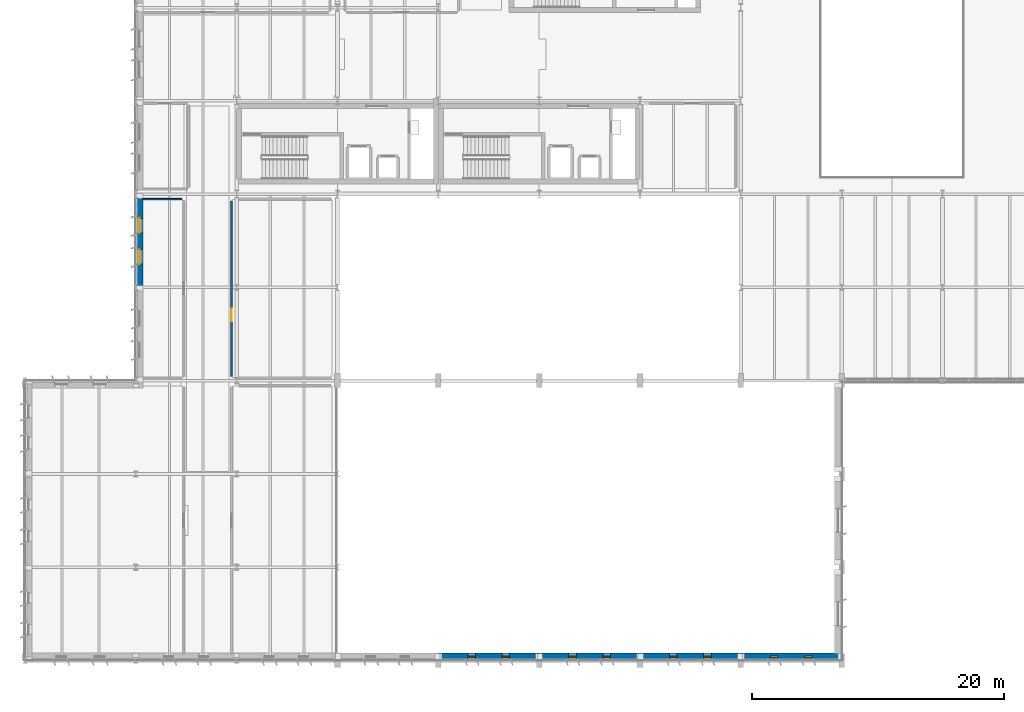
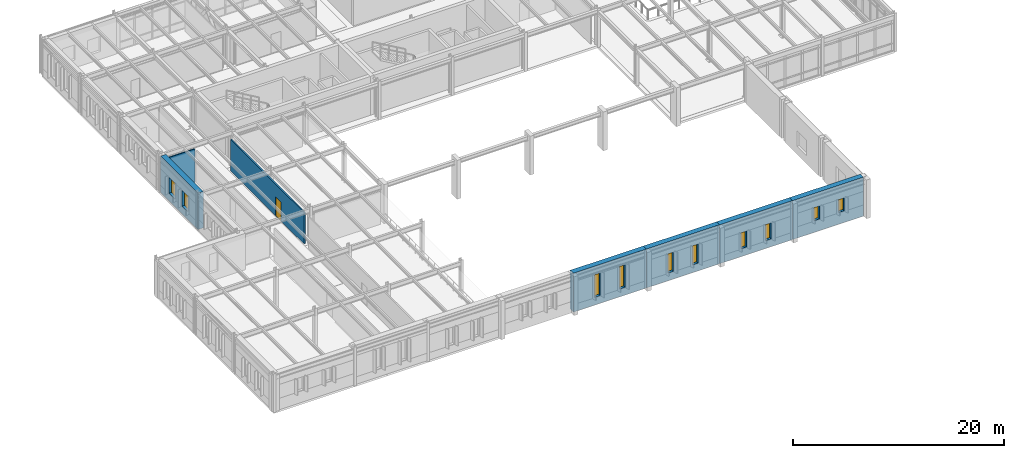
# One storey, part 41 of 75: 10 windows, 7 walls, 1 door, 11 openings.
"""IFC4 building model written with IfcOpenShell, lengths in metres."""

from ifc_helpers import new_model, si_unit, direction, frame, frame_2d, origin, place, context, subcontext, project, spatial, rectangle, extrude, material, layer, layer_set, type_object, element, fill, save


model = new_model("IFC4")

# Units and contexts
model_context = context("Model", 3, precision=1e-05, world=origin(), true_north=direction((0.0, 1.0)))
body_context = subcontext(model_context, "Body", "Model", "MODEL_VIEW")
ifc_project = project(units=[si_unit("LENGTHUNIT", "METRE"), si_unit("AREAUNIT", "SQUARE_METRE"), si_unit("VOLUMEUNIT", "CUBIC_METRE"), si_unit("PLANEANGLEUNIT", "RADIAN"), si_unit("MASSUNIT", "GRAM", prefix="KILO")], contexts=[model_context])

# Site, building, storey
site_placement = place(None, origin())
site = spatial("IfcSite", under=ifc_project, at=site_placement, CompositionType="ELEMENT")
building_placement = place(site_placement, origin())
building = spatial("IfcBuilding", under=site, at=building_placement, Name="Valkorina Park Police Headquarters", CompositionType="ELEMENT")
storey_placement = place(building_placement, frame((0.0, 0.0, 5.39990234375)))
storey = spatial("IfcBuildingStorey", under=building, at=storey_placement, Name="L02", CompositionType="ELEMENT", Elevation=5.39990234375)

# Wall, opening, door
ifc_material_1 = material(Name="Acoustic mineral board")
ifc_layer_1 = layer(ifc_material_1, 0.14990234375)
ifc_layer_set_1 = layer_set([ifc_layer_1], Name="Acoustic mineral board")
wall_type_1 = type_object("IfcWallType", Name="WL-ACOUST-150-EI30", PredefinedType="PARTITIONING", material=ifc_layer_set_1)
wall_1_placement = place(storey_placement, frame((16.39990234375, 22.5400390625, 0.0), z_axis=(0.0, 0.0, 1.0), x_axis=(0.0, 1.0, 0.0)))
wall_1 = element("IfcWall", 1, at=wall_1_placement, inside=storey, type_object=wall_type_1, Name="L02 Interior Partition 0118 (L02-PUB-04)", PredefinedType="PARTITIONING", context=body_context, shape_type="SweptSolid", body=[
    extrude(rectangle(XDim=13.919921875, YDim=0.14990234375, at=frame_2d((6.9599609375, 0.0))), origin(), (0.0, 0.0, 1.0), 3.650146484375),
])
opening_1_placement = place(wall_1_placement, frame((4.3720703125, 0.0, 0.0)))
opening_1 = element("IfcOpeningElement", 2, at=opening_1_placement, cuts=wall_1, Name="Opening ID-04", PredefinedType="OPENING", context=body_context, shape_type="SweptSolid", body=[
    extrude(rectangle(XDim=1.0, YDim=2.199951171875, at=frame_2d((0.5, 1.10009765625))), frame((0.0, 0.0849609375, 0.0), z_axis=(0.0, -1.0, 0.0), x_axis=(1.0, 0.0, 0.0)), (0.0, 0.0, 1.0), 0.169921875),
])
ifc_material_2 = material(Name="Thermally broken aluminium AW-6060", Category="aluminium")
ifc_layer_2 = layer(ifc_material_2, 0.050048828125)
ifc_layer_set_2 = layer_set([ifc_layer_2], Name="Thermally broken aluminium AW-6060")
door_type = type_object("IfcDoorType", Name="DR-INT-OFF-1000x2200", OperationType="NOTDEFINED", PredefinedType="DOOR", material=ifc_layer_set_2)
door_placement = place(opening_1_placement, origin())
door = element("IfcDoor", 3, at=door_placement, inside=storey, type_object=door_type, Name="Door D-L02-I054 (L02-PUB-04)", OperationType="SINGLE_SWING_LEFT", OverallHeight=2.199951171875, OverallWidth=1.0, PredefinedType="DOOR", context=body_context, shape_type="SweptSolid", body=[
    extrude(rectangle(XDim=1.0, YDim=2.199951171875, at=frame_2d((0.5, 1.10009765625))), frame((0.0, 0.02490234375, 0.0), z_axis=(0.0, -1.0, 0.0), x_axis=(1.0, 0.0, 0.0)), (0.0, 0.0, 1.0), 0.050048828125),
])
fill(opening_1, door)

# Wall, openings, windows
ifc_material_3 = material(Name="Concrete C35/45", Category="concrete")
ifc_layer_3 = layer(ifc_material_3, 0.580078125)
ifc_layer_set_3 = layer_set([ifc_layer_3], Name="Concrete C35/45")
wall_type_2 = type_object("IfcWallType", Name="WL-EXT-BOARD-580", PredefinedType="STANDARD", material=ifc_layer_set_3)
wall_2_placement = place(storey_placement, frame((64.56494140625, 0.2900390625, 0.0), z_axis=(0.0, 0.0, 1.0), x_axis=(-1.0, 0.0, 0.0)))
wall_2 = element("IfcWall", 4, at=wall_2_placement, inside=storey, type_object=wall_type_2, Name="L02 Architectural Concrete Exterior Wall 0095", PredefinedType="STANDARD", context=body_context, shape_type="SweptSolid", body=[
    extrude(rectangle(XDim=7.764892578125, YDim=0.580078125, at=frame_2d((3.88232421875, 0.0))), origin(), (0.0, 0.0, 1.0), 4.5),
])
opening_2_placement = place(wall_2_placement, frame((2.109619140625, 0.0, 1.35009765625)))
opening_2 = element("IfcOpeningElement", 5, at=opening_2_placement, cuts=wall_2, Name="Opening WN-03", PredefinedType="OPENING", context=body_context, shape_type="SweptSolid", body=[
    extrude(rectangle(XDim=0.60009765625, YDim=1.5, at=frame_2d((0.300048828125, 0.75))), frame((0.0, 0.300048828125, 0.0), z_axis=(0.0, -1.0, 0.0), x_axis=(1.0, 0.0, 0.0)), (0.0, 0.0, 1.0), 0.60009765625),
])
opening_3_placement = place(wall_2_placement, frame((4.8203125, 0.0, 1.35009765625)))
opening_3 = element("IfcOpeningElement", 6, at=opening_3_placement, cuts=wall_2, Name="Opening WN-03", PredefinedType="OPENING", context=body_context, shape_type="SweptSolid", body=[
    extrude(rectangle(XDim=0.60009765625, YDim=1.5, at=frame_2d((0.300048828125, 0.75))), frame((0.0, 0.300048828125, 0.0), z_axis=(0.0, -1.0, 0.0), x_axis=(1.0, 0.0, 0.0)), (0.0, 0.0, 1.0), 0.60009765625),
])
ifc_material_4 = material(Name="Triple low-E insulated glazing", Category="glass")
ifc_layer_4 = layer(ifc_material_4, 0.06005859375)
ifc_layer_set_4 = layer_set([ifc_layer_4], Name="Triple low-E insulated glazing")
window_type_1 = type_object("IfcWindowType", Name="WN-SLOT-600x1500", PartitioningType="SINGLE_PANEL", PredefinedType="WINDOW", material=ifc_layer_set_4)
window_1_placement = place(opening_2_placement, origin())
window_1 = element("IfcWindow", 7, at=window_1_placement, inside=storey, type_object=window_type_1, Name="Window L02-0142", OverallHeight=1.5, OverallWidth=0.60009765625, PartitioningType="SINGLE_PANEL", PredefinedType="WINDOW", context=body_context, shape_type="SweptSolid", body=[
    extrude(rectangle(XDim=0.60009765625, YDim=1.5, at=frame_2d((0.300048828125, 0.75))), frame((0.0, 0.030029296875, 0.0), z_axis=(0.0, -1.0, 0.0), x_axis=(1.0, 0.0, 0.0)), (0.0, 0.0, 1.0), 0.06005859375),
])
fill(opening_2, window_1)
window_2_placement = place(opening_3_placement, origin())
window_2 = element("IfcWindow", 8, at=window_2_placement, inside=storey, type_object=window_type_1, Name="Window L02-0143", OverallHeight=1.5, OverallWidth=0.60009765625, PartitioningType="SINGLE_PANEL", PredefinedType="WINDOW", context=body_context, shape_type="SweptSolid", body=[
    extrude(rectangle(XDim=0.60009765625, YDim=1.5, at=frame_2d((0.300048828125, 0.75))), frame((0.0, 0.030029296875, 0.0), z_axis=(0.0, -1.0, 0.0), x_axis=(1.0, 0.0, 0.0)), (0.0, 0.0, 1.0), 0.06005859375),
])
fill(opening_3, window_2)

wall_3_placement = place(storey_placement, frame((56.800048828125, 0.2900390625, 0.0), z_axis=(0.0, 0.0, 1.0), x_axis=(-1.0, 0.0, 0.0)))
wall_3 = element("IfcWall", 9, at=wall_3_placement, inside=storey, type_object=wall_type_2, Name="L02 Architectural Concrete Exterior Wall 0096", PredefinedType="STANDARD", context=body_context, shape_type="SweptSolid", body=[
    extrude(rectangle(XDim=8.0, YDim=0.580078125, at=frame_2d((4.0, 0.0))), origin(), (0.0, 0.0, 1.0), 4.5),
])
opening_4_placement = place(wall_3_placement, frame((2.344482421875, 0.0, 0.89990234375)))
opening_4 = element("IfcOpeningElement", 10, at=opening_4_placement, cuts=wall_3, Name="Opening WN-04", PredefinedType="OPENING", context=body_context, shape_type="SweptSolid", body=[
    extrude(rectangle(XDim=0.60009765625, YDim=1.85009765625, at=frame_2d((0.300048828125, 0.925048828125))), frame((0.0, 0.300048828125, 0.0), z_axis=(0.0, -1.0, 0.0), x_axis=(1.0, 0.0, 0.0)), (0.0, 0.0, 1.0), 0.60009765625),
])
opening_5_placement = place(wall_3_placement, frame((5.055419921875, 0.0, 0.89990234375)))
opening_5 = element("IfcOpeningElement", 11, at=opening_5_placement, cuts=wall_3, Name="Opening WN-04", PredefinedType="OPENING", context=body_context, shape_type="SweptSolid", body=[
    extrude(rectangle(XDim=0.60009765625, YDim=1.85009765625, at=frame_2d((0.300048828125, 0.925048828125))), frame((0.0, 0.300048828125, 0.0), z_axis=(0.0, -1.0, 0.0), x_axis=(1.0, 0.0, 0.0)), (0.0, 0.0, 1.0), 0.60009765625),
])
ifc_layer_5 = layer(ifc_material_4, 0.06005859375)
ifc_layer_set_5 = layer_set([ifc_layer_5], Name="Triple low-E insulated glazing")
window_type_2 = type_object("IfcWindowType", Name="WN-SLOT-600x1850", PartitioningType="SINGLE_PANEL", PredefinedType="WINDOW", material=ifc_layer_set_5)
window_3_placement = place(opening_4_placement, origin())
window_3 = element("IfcWindow", 12, at=window_3_placement, inside=storey, type_object=window_type_2, Name="Window L02-0144", OverallHeight=1.85009765625, OverallWidth=0.60009765625, PartitioningType="SINGLE_PANEL", PredefinedType="WINDOW", context=body_context, shape_type="SweptSolid", body=[
    extrude(rectangle(XDim=0.60009765625, YDim=1.85009765625, at=frame_2d((0.300048828125, 0.925048828125))), frame((0.0, 0.030029296875, 0.0), z_axis=(0.0, -1.0, 0.0), x_axis=(1.0, 0.0, 0.0)), (0.0, 0.0, 1.0), 0.06005859375),
])
fill(opening_4, window_3)
window_4_placement = place(opening_5_placement, origin())
window_4 = element("IfcWindow", 13, at=window_4_placement, inside=storey, type_object=window_type_2, Name="Window L02-0145", OverallHeight=1.85009765625, OverallWidth=0.60009765625, PartitioningType="SINGLE_PANEL", PredefinedType="WINDOW", context=body_context, shape_type="SweptSolid", body=[
    extrude(rectangle(XDim=0.60009765625, YDim=1.85009765625, at=frame_2d((0.300048828125, 0.925048828125))), frame((0.0, 0.030029296875, 0.0), z_axis=(0.0, -1.0, 0.0), x_axis=(1.0, 0.0, 0.0)), (0.0, 0.0, 1.0), 0.06005859375),
])
fill(opening_5, window_4)

wall_4_placement = place(storey_placement, frame((48.800048828125, 0.2900390625, 0.0), z_axis=(0.0, 0.0, 1.0), x_axis=(-1.0, 0.0, 0.0)))
wall_4 = element("IfcWall", 14, at=wall_4_placement, inside=storey, type_object=wall_type_2, Name="L02 Architectural Concrete Exterior Wall 0097", PredefinedType="STANDARD", context=body_context, shape_type="SweptSolid", body=[
    extrude(rectangle(XDim=8.0, YDim=0.580078125, at=frame_2d((4.0, 0.0))), origin(), (0.0, 0.0, 1.0), 4.5),
])
opening_6_placement = place(wall_4_placement, frame((2.344482421875, 0.0, 0.89990234375)))
opening_6 = element("IfcOpeningElement", 15, at=opening_6_placement, cuts=wall_4, Name="Opening WN-05", PredefinedType="OPENING", context=body_context, shape_type="SweptSolid", body=[
    extrude(rectangle(XDim=0.60009765625, YDim=2.199951171875, at=frame_2d((0.300048828125, 1.10009765625))), frame((0.0, 0.300048828125, 0.0), z_axis=(0.0, -1.0, 0.0), x_axis=(1.0, 0.0, 0.0)), (0.0, 0.0, 1.0), 0.60009765625),
])
opening_7_placement = place(wall_4_placement, frame((5.055419921875, 0.0, 0.89990234375)))
opening_7 = element("IfcOpeningElement", 16, at=opening_7_placement, cuts=wall_4, Name="Opening WN-05", PredefinedType="OPENING", context=body_context, shape_type="SweptSolid", body=[
    extrude(rectangle(XDim=0.60009765625, YDim=2.199951171875, at=frame_2d((0.300048828125, 1.10009765625))), frame((0.0, 0.300048828125, 0.0), z_axis=(0.0, -1.0, 0.0), x_axis=(1.0, 0.0, 0.0)), (0.0, 0.0, 1.0), 0.60009765625),
])
ifc_layer_6 = layer(ifc_material_4, 0.06005859375)
ifc_layer_set_6 = layer_set([ifc_layer_6], Name="Triple low-E insulated glazing")
window_type_3 = type_object("IfcWindowType", Name="WN-SLOT-600x2200", PartitioningType="SINGLE_PANEL", PredefinedType="WINDOW", material=ifc_layer_set_6)
window_5_placement = place(opening_6_placement, origin())
window_5 = element("IfcWindow", 17, at=window_5_placement, inside=storey, type_object=window_type_3, Name="Window L02-0146", OverallHeight=2.199951171875, OverallWidth=0.60009765625, PartitioningType="SINGLE_PANEL", PredefinedType="WINDOW", context=body_context, shape_type="SweptSolid", body=[
    extrude(rectangle(XDim=0.60009765625, YDim=2.199951171875, at=frame_2d((0.300048828125, 1.10009765625))), frame((0.0, 0.030029296875, 0.0), z_axis=(0.0, -1.0, 0.0), x_axis=(1.0, 0.0, 0.0)), (0.0, 0.0, 1.0), 0.06005859375),
])
fill(opening_6, window_5)
window_6_placement = place(opening_7_placement, origin())
window_6 = element("IfcWindow", 18, at=window_6_placement, inside=storey, type_object=window_type_3, Name="Window L02-0147", OverallHeight=2.199951171875, OverallWidth=0.60009765625, PartitioningType="SINGLE_PANEL", PredefinedType="WINDOW", context=body_context, shape_type="SweptSolid", body=[
    extrude(rectangle(XDim=0.60009765625, YDim=2.199951171875, at=frame_2d((0.300048828125, 1.10009765625))), frame((0.0, 0.030029296875, 0.0), z_axis=(0.0, -1.0, 0.0), x_axis=(1.0, 0.0, 0.0)), (0.0, 0.0, 1.0), 0.06005859375),
])
fill(opening_7, window_6)

wall_5_placement = place(storey_placement, frame((40.800048828125, 0.2900390625, 0.0), z_axis=(0.0, 0.0, 1.0), x_axis=(-1.0, 0.0, 0.0)))
wall_5 = element("IfcWall", 19, at=wall_5_placement, inside=storey, type_object=wall_type_2, Name="L02 Architectural Concrete Exterior Wall 0098", PredefinedType="STANDARD", context=body_context, shape_type="SweptSolid", body=[
    extrude(rectangle(XDim=8.0, YDim=0.580078125, at=frame_2d((4.0, 0.0))), origin(), (0.0, 0.0, 1.0), 4.5),
])
opening_8_placement = place(wall_5_placement, frame((2.344482421875, 0.0, 0.89990234375)))
opening_8 = element("IfcOpeningElement", 20, at=opening_8_placement, cuts=wall_5, Name="Opening WN-06", PredefinedType="OPENING", context=body_context, shape_type="SweptSolid", body=[
    extrude(rectangle(XDim=0.60009765625, YDim=2.60009765625, at=frame_2d((0.300048828125, 1.300048828125))), frame((0.0, 0.300048828125, 0.0), z_axis=(0.0, -1.0, 0.0), x_axis=(1.0, 0.0, 0.0)), (0.0, 0.0, 1.0), 0.60009765625),
])
opening_9_placement = place(wall_5_placement, frame((5.055419921875, 0.0, 0.89990234375)))
opening_9 = element("IfcOpeningElement", 21, at=opening_9_placement, cuts=wall_5, Name="Opening WN-06", PredefinedType="OPENING", context=body_context, shape_type="SweptSolid", body=[
    extrude(rectangle(XDim=0.60009765625, YDim=2.60009765625, at=frame_2d((0.300048828125, 1.300048828125))), frame((0.0, 0.300048828125, 0.0), z_axis=(0.0, -1.0, 0.0), x_axis=(1.0, 0.0, 0.0)), (0.0, 0.0, 1.0), 0.60009765625),
])
ifc_layer_7 = layer(ifc_material_4, 0.06005859375)
ifc_layer_set_7 = layer_set([ifc_layer_7], Name="Triple low-E insulated glazing")
window_type_4 = type_object("IfcWindowType", Name="WN-SLOT-600x2600", PartitioningType="SINGLE_PANEL", PredefinedType="WINDOW", material=ifc_layer_set_7)
window_7_placement = place(opening_8_placement, origin())
window_7 = element("IfcWindow", 22, at=window_7_placement, inside=storey, type_object=window_type_4, Name="Window L02-0148", OverallHeight=2.60009765625, OverallWidth=0.60009765625, PartitioningType="SINGLE_PANEL", PredefinedType="WINDOW", context=body_context, shape_type="SweptSolid", body=[
    extrude(rectangle(XDim=0.60009765625, YDim=2.60009765625, at=frame_2d((0.300048828125, 1.300048828125))), frame((0.0, 0.030029296875, 0.0), z_axis=(0.0, -1.0, 0.0), x_axis=(1.0, 0.0, 0.0)), (0.0, 0.0, 1.0), 0.06005859375),
])
fill(opening_8, window_7)
window_8_placement = place(opening_9_placement, origin())
window_8 = element("IfcWindow", 23, at=window_8_placement, inside=storey, type_object=window_type_4, Name="Window L02-0149", OverallHeight=2.60009765625, OverallWidth=0.60009765625, PartitioningType="SINGLE_PANEL", PredefinedType="WINDOW", context=body_context, shape_type="SweptSolid", body=[
    extrude(rectangle(XDim=0.60009765625, YDim=2.60009765625, at=frame_2d((0.300048828125, 1.300048828125))), frame((0.0, 0.030029296875, 0.0), z_axis=(0.0, -1.0, 0.0), x_axis=(1.0, 0.0, 0.0)), (0.0, 0.0, 1.0), 0.06005859375),
])
fill(opening_9, window_8)

wall_6_placement = place(storey_placement, frame((9.090087890625, 29.60009765625, 0.0), z_axis=(0.0, 0.0, 1.0), x_axis=(0.0, 1.0, 0.0)))
wall_6 = element("IfcWall", 24, at=wall_6_placement, inside=storey, type_object=wall_type_2, Name="L02 Architectural Concrete Exterior Wall 0108", PredefinedType="STANDARD", context=body_context, shape_type="SweptSolid", body=[
    extrude(rectangle(XDim=7.08984375, YDim=0.580078125, at=frame_2d((3.544921875, 0.0))), origin(), (0.0, 0.0, 1.0), 4.22021484375),
])
opening_10_placement = place(wall_6_placement, frame((1.853515625, 0.0, 0.89990234375)))
opening_10 = element("IfcOpeningElement", 25, at=opening_10_placement, cuts=wall_6, Name="Opening WN-20", PredefinedType="OPENING", context=body_context, shape_type="SweptSolid", body=[
    extrude(rectangle(XDim=1.14990234375, YDim=1.85009765625, at=frame_2d((0.574951171875, 0.925048828125))), frame((0.0, 0.300048828125, 0.0), z_axis=(0.0, -1.0, 0.0), x_axis=(1.0, 0.0, 0.0)), (0.0, 0.0, 1.0), 0.60009765625),
])
opening_11_placement = place(wall_6_placement, frame((4.3212890625, 0.0, 0.89990234375)))
opening_11 = element("IfcOpeningElement", 26, at=opening_11_placement, cuts=wall_6, Name="Opening WN-20", PredefinedType="OPENING", context=body_context, shape_type="SweptSolid", body=[
    extrude(rectangle(XDim=1.14990234375, YDim=1.85009765625, at=frame_2d((0.574951171875, 0.925048828125))), frame((0.0, 0.300048828125, 0.0), z_axis=(0.0, -1.0, 0.0), x_axis=(1.0, 0.0, 0.0)), (0.0, 0.0, 1.0), 0.60009765625),
])
ifc_layer_8 = layer(ifc_material_4, 0.06005859375)
ifc_layer_set_8 = layer_set([ifc_layer_8], Name="Triple low-E insulated glazing")
window_type_5 = type_object("IfcWindowType", Name="WN-LAB-1150x1850", PartitioningType="SINGLE_PANEL", PredefinedType="WINDOW", material=ifc_layer_set_8)
window_9_placement = place(opening_10_placement, origin())
window_9 = element("IfcWindow", 27, at=window_9_placement, inside=storey, type_object=window_type_5, Name="Window L02-0168", OverallHeight=1.85009765625, OverallWidth=1.14990234375, PartitioningType="SINGLE_PANEL", PredefinedType="WINDOW", context=body_context, shape_type="SweptSolid", body=[
    extrude(rectangle(XDim=1.14990234375, YDim=1.85009765625, at=frame_2d((0.574951171875, 0.925048828125))), frame((0.0, 0.030029296875, 0.0), z_axis=(0.0, -1.0, 0.0), x_axis=(1.0, 0.0, 0.0)), (0.0, 0.0, 1.0), 0.06005859375),
])
fill(opening_10, window_9)
window_10_placement = place(opening_11_placement, origin())
window_10 = element("IfcWindow", 28, at=window_10_placement, inside=storey, type_object=window_type_5, Name="Window L02-0169", OverallHeight=1.85009765625, OverallWidth=1.14990234375, PartitioningType="SINGLE_PANEL", PredefinedType="WINDOW", context=body_context, shape_type="SweptSolid", body=[
    extrude(rectangle(XDim=1.14990234375, YDim=1.85009765625, at=frame_2d((0.574951171875, 0.925048828125))), frame((0.0, 0.030029296875, 0.0), z_axis=(0.0, -1.0, 0.0), x_axis=(1.0, 0.0, 0.0)), (0.0, 0.0, 1.0), 0.06005859375),
])
fill(opening_11, window_10)

# Wall
ifc_material_5 = material(Name="Gypsum plasterboard")
ifc_layer_9 = layer(ifc_material_5, 0.125)
ifc_layer_set_9 = layer_set([ifc_layer_9], Name="Gypsum plasterboard")
wall_type_3 = type_object("IfcWallType", Name="WL-PART-125-EI30", PredefinedType="PARTITIONING", material=ifc_layer_set_9)
wall_7_placement = place(storey_placement, frame((9.340087890625, 36.60009765625, 0.0), z_axis=(0.0, 0.0, 1.0), x_axis=(1.0, 0.0, 0.0)))
element("IfcWall", 29, at=wall_7_placement, inside=storey, type_object=wall_type_3, Name="L02 Interior Partition 0114 (L02-PUB-03)", PredefinedType="PARTITIONING", context=body_context, shape_type="SweptSolid", body=[
    extrude(rectangle(XDim=3.119873046875, YDim=0.125, at=frame_2d((1.56005859375, 0.0))), origin(), (0.0, 0.0, 1.0), 3.840087890625),
])

save(model, "model.ifc")
